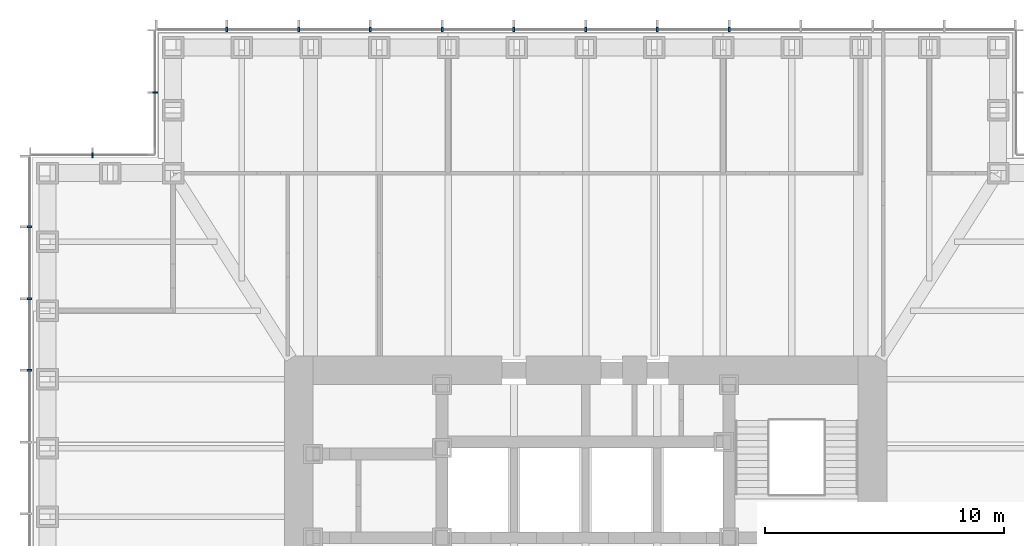
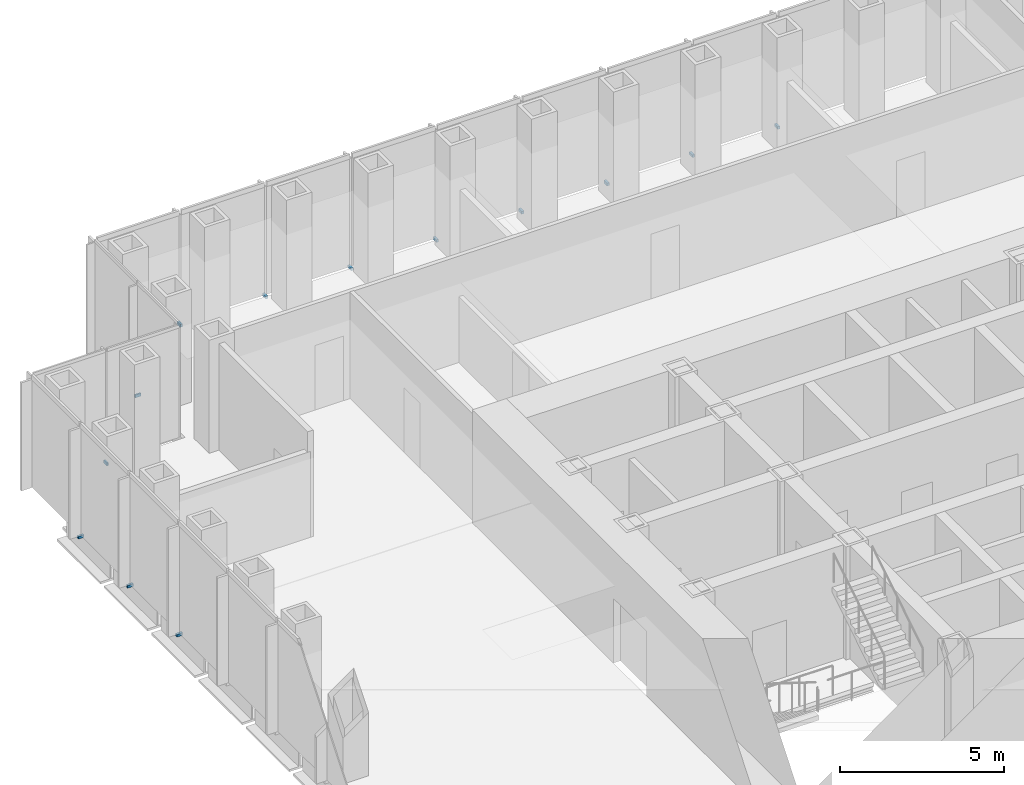
# One storey, part 15 of 17: 13 discrete accessories.
"""IFC4 building model written with IfcOpenShell, lengths in metres."""

from ifc_helpers import new_model, si_unit, direction, frame, origin, origin_2d, place, context, subcontext, project, spatial, rectangle, extrude, element, save


model = new_model("IFC4")

# Units and contexts
model_context = context("Model", 3, precision=1e-05, world=origin(), true_north=direction((0.0, 1.0)))
body_context = subcontext(model_context, "Body", "Model", "MODEL_VIEW")
ifc_project = project(units=[si_unit("LENGTHUNIT", "METRE"), si_unit("AREAUNIT", "SQUARE_METRE"), si_unit("VOLUMEUNIT", "CUBIC_METRE"), si_unit("PLANEANGLEUNIT", "RADIAN"), si_unit("MASSUNIT", "GRAM", prefix="KILO")], contexts=[model_context])

# Site, building, storey
site_placement = place(None, origin())
site = spatial("IfcSite", under=ifc_project, at=site_placement, CompositionType="ELEMENT")
building_placement = place(site_placement, origin())
building = spatial("IfcBuilding", under=site, at=building_placement, Name="Daluyong Arena Tower", CompositionType="ELEMENT")
storey_placement = place(building_placement, frame((0.0, 0.0, 171.10009765625)))
storey = spatial("IfcBuildingStorey", under=building, at=storey_placement, Name="L38", CompositionType="ELEMENT", Elevation=171.10009765625)

# Discrete accessories
for number, where, z_axis, x_axis, name in (
    (1, (62.0, 103.25, -0.10009765625), (0.0, 0.0, 1.0), (-1.0, 0.0, 0.0), "curtain wall L38 N anchor bracket 5"),
    (2, (59.0, 103.25, -0.10009765625), (0.0, 0.0, 1.0), (-1.0, 0.0, 0.0), "curtain wall L38 N anchor bracket 6"),
    (3, (56.0, 103.25, -0.10009765625), (0.0, 0.0, 1.0), (-1.0, 0.0, 0.0), "curtain wall L38 N anchor bracket 7"),
    (4, (53.0, 103.25, -0.10009765625), (0.0, 0.0, 1.0), (-1.0, 0.0, 0.0), "curtain wall L38 N anchor bracket 8"),
    (5, (50.0, 103.25, -0.10009765625), (0.0, 0.0, 1.0), (-1.0, 0.0, 0.0), "curtain wall L38 N anchor bracket 9"),
    (6, (47.0, 103.25, -0.10009765625), (0.0, 0.0, 1.0), (-1.0, 0.0, 0.0), "curtain wall L38 N anchor bracket 10"),
    (7, (44.0, 103.25, -0.10009765625), (0.0, 0.0, 1.0), (-1.0, 0.0, 0.0), "curtain wall L38 N anchor bracket 11"),
    (8, (41.0, 103.25, -0.10009765625), (0.0, 0.0, 1.0), (-1.0, 0.0, 0.0), "curtain wall L38 N anchor bracket 12"),
):
    element("IfcDiscreteAccessory", number, at=place(storey_placement, frame(where, z_axis=z_axis, x_axis=x_axis)), inside=storey, Name=name, PredefinedType="BRACKET", context=body_context, shape_type="SweptSolid", body=[
        extrude(rectangle(XDim=0.080078125, YDim=0.199951171875, at=origin_2d()), origin(), (0.0, 0.0, 1.0), 0.10009765625),
    ])
for number, where, z_axis, x_axis, name in (
    (9, (38.0, 100.625, -0.10009765625), (0.0, 0.0, 1.0), (0.0, -1.0, 0.0), "curtain wall L38 NW-W anchor bracket 2"),
    (10, (35.375, 98.0, -0.10009765625), (0.0, 0.0, 1.0), (-1.0, 0.0, 0.0), "curtain wall L38 NW-N anchor bracket 2"),
):
    element("IfcDiscreteAccessory", number, at=place(storey_placement, frame(where, z_axis=z_axis, x_axis=x_axis)), inside=storey, Name=name, PredefinedType="BRACKET", context=body_context, shape_type="SweptSolid", body=[
        extrude(rectangle(XDim=0.06005859375, YDim=0.199951171875, at=origin_2d()), origin(), (0.0, 0.0, 1.0), 0.10009765625),
    ])
for number, where, z_axis, x_axis, name in (
    (11, (32.75, 95.0, -0.10009765625), (0.0, 0.0, 1.0), (0.0, -1.0, 0.0), "curtain wall L38 W anchor bracket 2"),
    (12, (32.75, 92.0, -0.10009765625), (0.0, 0.0, 1.0), (0.0, -1.0, 0.0), "curtain wall L38 W anchor bracket 3"),
    (13, (32.75, 89.0, -0.10009765625), (0.0, 0.0, 1.0), (0.0, -1.0, 0.0), "curtain wall L38 W anchor bracket 4"),
):
    element("IfcDiscreteAccessory", number, at=place(storey_placement, frame(where, z_axis=z_axis, x_axis=x_axis)), inside=storey, Name=name, PredefinedType="BRACKET", context=body_context, shape_type="SweptSolid", body=[
        extrude(rectangle(XDim=0.080078125, YDim=0.199951171875, at=origin_2d()), origin(), (0.0, 0.0, 1.0), 0.10009765625),
    ])

save(model, "model.ifc")
